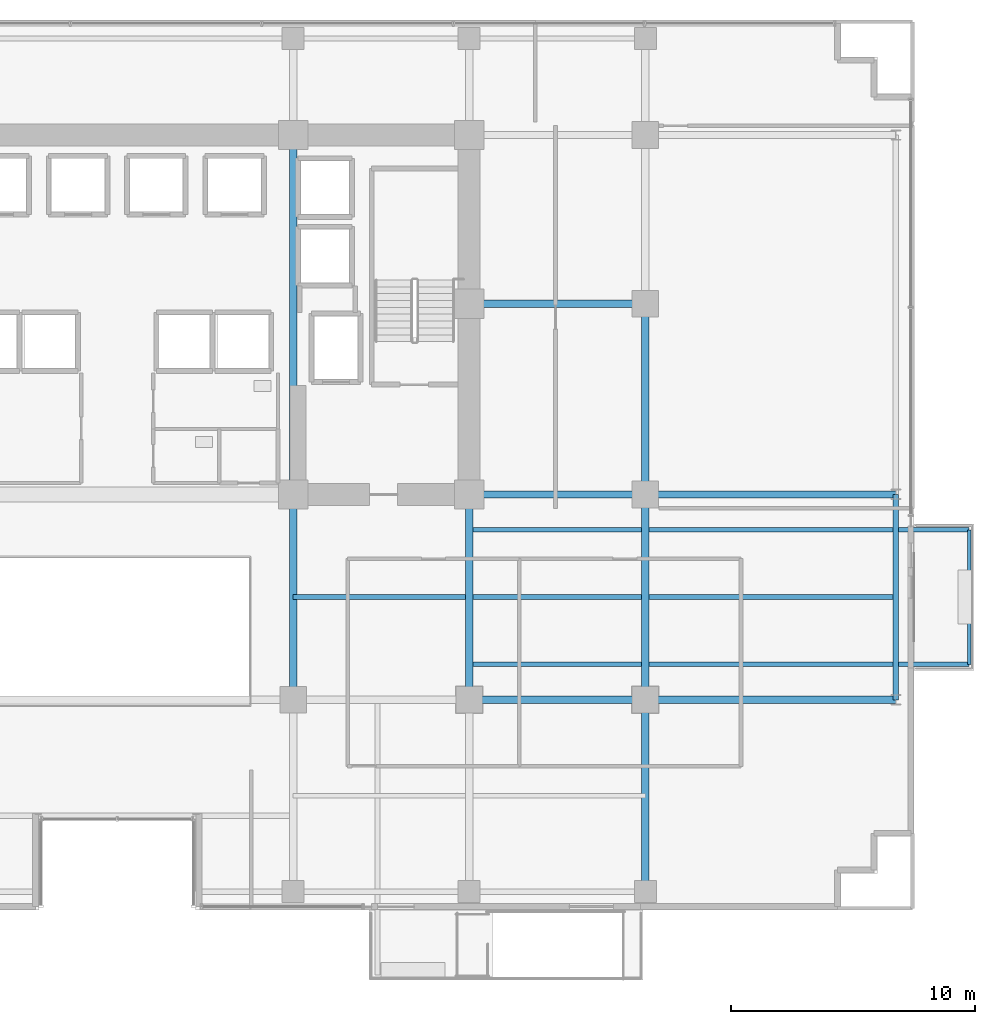
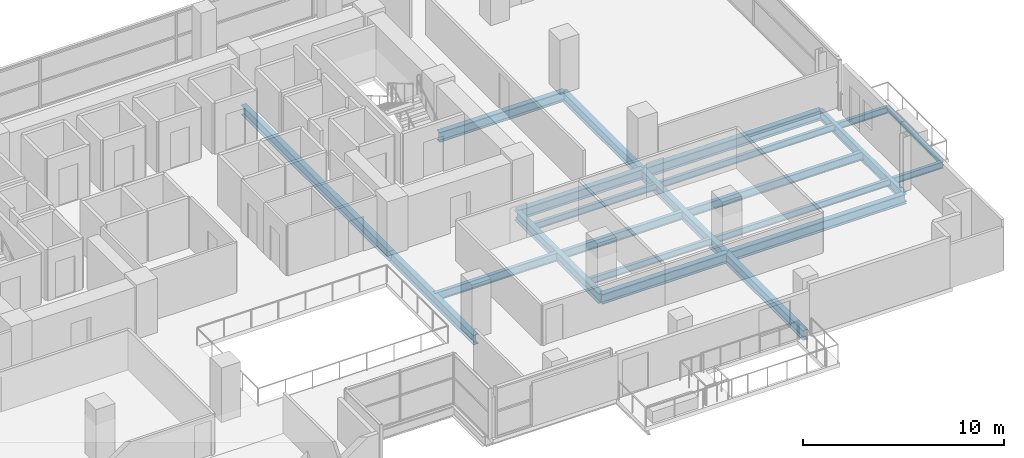
# One storey, part 12 of 28: 18 beams.
"""IFC4 building model written with IfcOpenShell, lengths in metres."""

import ifcopenshell
import ifcopenshell.guid

model = None  # the IFC model being written
_history = None  # IfcOwnerHistory: only IFC2X3 demands one
_inside = {}  # id of a spatial element -> (the spatial element, [elements in it])
_under = {}  # id of a project, library or spatial element -> (it, [spatial elements below it])
_declared = {}  # id of a project -> (the project, [libraries it declares])
_typed = {}  # id of a type object -> (the type object, [elements of that type])
_made_of = {}  # id of a material, layer set ... -> (it, [elements and type objects made of it])


def new_model(schema):
    """Start an empty IFC model of exactly this schema.

    Asked for "IFC4X3", IfcOpenShell would pick the latest addendum, in which some entities
    have other attributes; the version numbers below select the first issue.
    IFC2X3 requires an IfcOwnerHistory on every rooted entity: one is made here for all.
    """
    global model, _history
    if schema == "IFC4X3":
        model = ifcopenshell.file(schema_version=(4, 3, 0, 0))
    else:
        model = ifcopenshell.file(schema=schema)
    _inside.clear()
    _under.clear()
    _declared.clear()
    _typed.clear()
    _made_of.clear()
    _history = None
    if model.schema == "IFC2X3":
        org = make("IfcOrganization", Name="unknown")
        user = make(
            "IfcPersonAndOrganization",
            ThePerson=make("IfcPerson", FamilyName="unknown"),
            TheOrganization=org,
        )
        app = make(
            "IfcApplication",
            ApplicationDeveloper=org,
            Version="unknown",
            ApplicationFullName="unknown",
            ApplicationIdentifier="unknown",
        )
        _history = make(
            "IfcOwnerHistory",
            OwningUser=user,
            OwningApplication=app,
            ChangeAction="ADDED",
            CreationDate=0,
        )
    return model


def make(cls, **values):
    """One entity of the class cls with the attributes given. An attribute that is None is left unset."""
    return model.create_entity(
        cls, **{name: value for name, value in values.items() if value is not None}
    )


def rooted(cls, **values):
    """An entity with a GlobalId (a new one), such as an element, a storey or a relation."""
    return make(cls, GlobalId=ifcopenshell.guid.new(), OwnerHistory=_history, **values)


def si_unit(unit_type, name, prefix=None):
    """IfcSIUnit, for example si_unit("LENGTHUNIT", "METRE", prefix="MILLI")."""
    return make("IfcSIUnit", UnitType=unit_type, Prefix=prefix, Name=name)


def assignment(units):
    """IfcUnitAssignment: the units of a project."""
    return None if units is None else make("IfcUnitAssignment", Units=units)


def point(xyz):
    """IfcCartesianPoint."""
    return None if xyz is None else make("IfcCartesianPoint", Coordinates=xyz)


def direction(xyz):
    """IfcDirection."""
    return None if xyz is None else make("IfcDirection", DirectionRatios=xyz)


def frame(location, z_axis=None, x_axis=None):
    """IfcAxis2Placement3D, a coordinate frame: its origin and axes. An axis left out is left unset."""
    return make(
        "IfcAxis2Placement3D",
        Location=point(location),
        Axis=direction(z_axis),
        RefDirection=direction(x_axis),
    )


def frame_2d(location, x_axis=None):
    """IfcAxis2Placement2D, a coordinate frame in the plane: its origin and x axis."""
    return make(
        "IfcAxis2Placement2D", Location=point(location), RefDirection=direction(x_axis)
    )


def origin():
    """The frame at (0, 0, 0) with its axes left unset."""
    return frame((0.0, 0.0, 0.0))


def origin_2d():
    """The frame at (0, 0) in the plane with its x axis left unset."""
    return frame_2d((0.0, 0.0))


def place(relative_to, where):
    """IfcLocalPlacement: puts the frame where relative to a parent placement (None: the world)."""
    return make(
        "IfcLocalPlacement", PlacementRelTo=relative_to, RelativePlacement=where
    )


def context(
    kind, dimensions, precision=None, world=None, true_north=None, identifier=None
):
    """IfcGeometricRepresentationContext, for example the 3D "Model" context."""
    return make(
        "IfcGeometricRepresentationContext",
        ContextIdentifier=identifier,
        ContextType=kind,
        CoordinateSpaceDimension=dimensions,
        Precision=precision,
        WorldCoordinateSystem=world,
        TrueNorth=true_north,
    )


def subcontext(parent, identifier, kind, view, scale=None):
    """IfcGeometricRepresentationSubContext, for example "Body" below "Model"."""
    return make(
        "IfcGeometricRepresentationSubContext",
        ContextIdentifier=identifier,
        ContextType=kind,
        ParentContext=parent,
        TargetScale=scale,
        TargetView=view,
    )


def project(units=None, contexts=None):
    """IfcProject with its units and contexts."""
    return rooted(
        "IfcProject",
        Name="project",
        RepresentationContexts=contexts,
        UnitsInContext=assignment(units),
    )


def spatial(cls, under=None, at=None, **own):
    """A site, building, storey or space (cls), placed at a placement, below another one or the project."""
    s = rooted(cls, ObjectPlacement=at, **own)
    if under is not None:
        _under.setdefault(under.id(), (under, []))[1].append(s)
    return s


def profile(cls, at=None, kind="AREA", **sizes):
    """A parametric profile (cls). Its sizes go by their IFC names, for example OverallWidth=200.0."""
    return make(cls, ProfileType=kind, Position=at, **sizes)


def i_section(**sizes):
    """IfcIShapeProfileDef."""
    return profile("IfcIShapeProfileDef", **sizes)


def extrude(swept, where, along, depth):
    """IfcExtrudedAreaSolid: the profile swept, set in the frame where, extruded along a direction by depth."""
    return make(
        "IfcExtrudedAreaSolid",
        SweptArea=swept,
        Position=where,
        ExtrudedDirection=direction(along),
        Depth=depth,
    )


def shape(context_of_items, identifier, shape_type, items):
    """IfcShapeRepresentation: the items that make up one representation, for example the "Body"."""
    return make(
        "IfcShapeRepresentation",
        ContextOfItems=context_of_items,
        RepresentationIdentifier=identifier,
        RepresentationType=shape_type,
        Items=items,
    )


def material(Name=None, Category=None):
    """IfcMaterial."""
    return make("IfcMaterial", Name=Name, Category=Category)


def material_profile(
    of_material, cross_section, Name=None, Category=None, Priority=None
):
    """IfcMaterialProfile: a cross section and its material."""
    return make(
        "IfcMaterialProfile",
        Name=Name,
        Material=of_material,
        Profile=cross_section,
        Priority=Priority,
        Category=Category,
    )


def profile_set(profiles, Name=None, composite=None):
    """IfcMaterialProfileSet."""
    return make(
        "IfcMaterialProfileSet",
        Name=Name,
        MaterialProfiles=profiles,
        CompositeProfile=composite,
    )


def made_of(thing, what):
    """Note that an element or type object is made of a material, layer set ...; save() writes the relation."""
    if what is not None:
        _made_of.setdefault(what.id(), (what, []))[1].append(thing)
    return thing


def type_object(cls, material=None, **own):
    """A type object (cls), such as IfcWallType, which elements share."""
    return made_of(rooted(cls, **own), material)


def element(
    cls,
    number,
    at=None,
    inside=None,
    cuts=None,
    type_object=None,
    material=None,
    context=None,
    identifier="Body",
    shape_type=None,
    held_by="IfcProductDefinitionShape",
    body=None,
    shapes=None,
    **own,
):
    """One element of the class cls, such as IfcWall. Its Tag is "e" and its number.

    at: its placement. inside: the storey or other place that contains it. cuts: it is an
    opening in that element (IfcRelVoidsElement). A single representation is given by context,
    identifier, shape_type and body (its items); several are given by shapes. held_by: the class
    of the entity that holds the representations. save() writes the other relations.
    """
    e = rooted(cls, Tag="e%d" % number, ObjectPlacement=at, **own)
    if body is not None:
        shapes = [shape(context, identifier, shape_type, body)]
    if shapes is not None:
        e.Representation = make(held_by, Representations=shapes)
    if inside is not None:
        _inside.setdefault(inside.id(), (inside, []))[1].append(e)
    if cuts is not None:
        rooted(
            "IfcRelVoidsElement", RelatingBuildingElement=cuts, RelatedOpeningElement=e
        )
    if type_object is not None:
        _typed.setdefault(type_object.id(), (type_object, []))[1].append(e)
    return made_of(e, material)


def aggregate(whole, parts):
    """IfcRelAggregates: a whole, such as a stair, and the parts it consists of."""
    return rooted("IfcRelAggregates", RelatingObject=whole, RelatedObjects=parts)


def save(model, path):
    """Write the relations noted so far, then the file.

    IfcRelAggregates (storeys below a building ...), IfcRelContainedInSpatialStructure (elements
    in a storey), IfcRelDefinesByType, IfcRelAssociatesMaterial and IfcRelDeclares: one each for
    every whole, place, type object, material and project.
    """
    for whole, parts in _under.values():
        aggregate(whole, parts)
    for where, things in _inside.values():
        rooted(
            "IfcRelContainedInSpatialStructure",
            RelatedElements=things,
            RelatingStructure=where,
        )
    for kind, things in _typed.values():
        rooted("IfcRelDefinesByType", RelatedObjects=things, RelatingType=kind)
    for what, things in _made_of.values():
        rooted("IfcRelAssociatesMaterial", RelatedObjects=things, RelatingMaterial=what)
    for by, libraries in _declared.values():
        rooted("IfcRelDeclares", RelatingContext=by, RelatedDefinitions=libraries)
    model.write(path)


model = new_model("IFC4")

# Units and contexts
model_context = context("Model", 3, precision=1e-05, world=origin(), true_north=direction((0.0, 1.0)))
body_context = subcontext(model_context, "Body", "Model", "MODEL_VIEW")
ifc_project = project(units=[si_unit("LENGTHUNIT", "METRE"), si_unit("AREAUNIT", "SQUARE_METRE"), si_unit("VOLUMEUNIT", "CUBIC_METRE"), si_unit("PLANEANGLEUNIT", "RADIAN"), si_unit("MASSUNIT", "GRAM", prefix="KILO")], contexts=[model_context])

# Site, building, storey
site_placement = place(None, origin())
site = spatial("IfcSite", under=ifc_project, at=site_placement, CompositionType="ELEMENT")
building_placement = place(site_placement, origin())
building = spatial("IfcBuilding", under=site, at=building_placement, Name="Zarnakvel Exchange Tower", CompositionType="ELEMENT")
storey_placement = place(building_placement, frame((0.0, 0.0, 57.10009765625)))
storey = spatial("IfcBuildingStorey", under=building, at=storey_placement, Name="L15", CompositionType="ELEMENT", Elevation=57.10009765625)

# Beams
ifc_material = material(Name="Steel S355", Category="steel")
ifc_material_profile_1 = material_profile(ifc_material, i_section(OverallWidth=0.199951171875, OverallDepth=0.5, WebThickness=0.01025390625, FlangeThickness=0.01611328125, FilletRadius=0.02099609375, at=origin_2d()))
ifc_profile_set_1 = profile_set([ifc_material_profile_1], Name="Steel S355")
beam_type_1 = type_object("IfcBeamType", Name="B-04", PredefinedType="JOIST", material=ifc_profile_set_1)
beam_1_placement = place(storey_placement, frame((7.199951171875, -5.39990234375, -0.47509765625), z_axis=(1.0, 0.0, 0.0), x_axis=(0.0, 1.0, 0.0)))
element("IfcBeam", 1, at=beam_1_placement, inside=storey, type_object=beam_type_1, Name="L15 Composite Floor Secondary Joist", PredefinedType="JOIST", context=body_context, shape_type="SweptSolid", body=[
    extrude(i_section(OverallWidth=0.199951171875, OverallDepth=0.5, WebThickness=0.01025390625, FlangeThickness=0.01611328125, FilletRadius=0.02099609375, at=origin_2d()), origin(), (0.0, 0.0, 1.0), 7.050048828125),
])
beam_2_placement = place(storey_placement, frame((14.550048828125, -5.39990234375, -0.47509765625), z_axis=(1.0, 0.0, 0.0), x_axis=(0.0, 1.0, 0.0)))
element("IfcBeam", 2, at=beam_2_placement, inside=storey, type_object=beam_type_1, Name="L15 Composite Floor Secondary Joist", PredefinedType="JOIST", context=body_context, shape_type="SweptSolid", body=[
    extrude(i_section(OverallWidth=0.199951171875, OverallDepth=0.5, WebThickness=0.01025390625, FlangeThickness=0.01611328125, FilletRadius=0.02099609375, at=origin_2d()), origin(), (0.0, 0.0, 1.0), 6.89990234375),
])
beam_3_placement = place(storey_placement, frame((21.75, -5.39990234375, -0.47509765625), z_axis=(1.0, 0.0, 0.0), x_axis=(0.0, 1.0, 0.0)))
element("IfcBeam", 3, at=beam_3_placement, inside=storey, type_object=beam_type_1, Name="L15 Composite Floor Secondary Joist", PredefinedType="JOIST", context=body_context, shape_type="SweptSolid", body=[
    extrude(i_section(OverallWidth=0.199951171875, OverallDepth=0.5, WebThickness=0.01025390625, FlangeThickness=0.01611328125, FilletRadius=0.02099609375, at=origin_2d()), origin(), (0.0, 0.0, 1.0), 10.10009765625),
])
ifc_material_profile_2 = material_profile(ifc_material, i_section(OverallWidth=0.179931640625, OverallDepth=0.39990234375, WebThickness=0.008544921875, FlangeThickness=0.013427734375, FilletRadius=0.02099609375, at=origin_2d()))
ifc_profile_set_2 = profile_set([ifc_material_profile_2], Name="Steel S355")
beam_type_2 = type_object("IfcBeamType", Name="B-06", PredefinedType="JOIST", material=ifc_profile_set_2)
for number, where, z_axis, x_axis, name in (
    (4, (14.39990234375, -8.14990234375, -0.425048828125), (1.0, 0.0, 0.0), (0.0, 1.0, 0.0), "L15 Continuous East Loggia Beam S"),
    (5, (14.39990234375, -2.64990234375, -0.425048828125), (1.0, 0.0, 0.0), (0.0, 1.0, 0.0), "L15 Continuous East Loggia Beam N"),
):
    element("IfcBeam", number, at=place(storey_placement, frame(where, z_axis=z_axis, x_axis=x_axis)), inside=storey, type_object=beam_type_2, Name=name, PredefinedType="JOIST", context=body_context, shape_type="SweptSolid", body=[
        extrude(i_section(OverallWidth=0.179931640625, OverallDepth=0.39990234375, WebThickness=0.008544921875, FlangeThickness=0.013427734375, FilletRadius=0.02099609375, at=origin_2d()), origin(), (0.0, 0.0, 1.0), 20.4501953125),
    ])
ifc_material_profile_3 = material_profile(ifc_material, i_section(OverallWidth=0.14990234375, OverallDepth=0.300048828125, WebThickness=0.007080078125, FlangeThickness=0.0107421875, FilletRadius=0.014892578125, at=origin_2d()))
ifc_profile_set_3 = profile_set([ifc_material_profile_3], Name="Steel S355")
beam_type_3 = type_object("IfcBeamType", Name="B-08", PredefinedType="JOIST", material=ifc_profile_set_3)
beam_4_placement = place(storey_placement, frame((34.85009765625, -8.14990234375, -0.375), z_axis=(0.0, 1.0, 0.0), x_axis=(-1.0, 0.0, 0.0)))
element("IfcBeam", 6, at=beam_4_placement, inside=storey, type_object=beam_type_3, Name="L15 East Loggia Edge Beam", PredefinedType="JOIST", context=body_context, shape_type="SweptSolid", body=[
    extrude(i_section(OverallWidth=0.14990234375, OverallDepth=0.300048828125, WebThickness=0.007080078125, FlangeThickness=0.0107421875, FilletRadius=0.014892578125, at=origin_2d()), origin(), (0.0, 0.0, 1.0), 5.5),
])
ifc_material_profile_4 = material_profile(ifc_material, i_section(OverallWidth=0.300048828125, OverallDepth=0.60009765625, WebThickness=0.015380859375, FlangeThickness=0.030029296875, FilletRadius=0.027099609375, at=origin_2d()))
ifc_profile_set_4 = profile_set([ifc_material_profile_4], Name="Steel S355")
beam_type_4 = type_object("IfcBeamType", Name="G-04", PredefinedType="BEAM", material=ifc_profile_set_4)
beam_5_placement = place(storey_placement, frame((14.39990234375, -9.60009765625, -0.525146484375), z_axis=(1.0, 0.0, 0.0), x_axis=(0.0, 1.0, 0.0)))
element("IfcBeam", 7, at=beam_5_placement, inside=storey, type_object=beam_type_4, Name="L15 Tower E-W Frame Beam", PredefinedType="BEAM", context=body_context, shape_type="SweptSolid", body=[
    extrude(i_section(OverallWidth=0.300048828125, OverallDepth=0.60009765625, WebThickness=0.015380859375, FlangeThickness=0.030029296875, FilletRadius=0.027099609375, at=origin_2d()), origin(), (0.0, 0.0, 1.0), 7.2001953125),
])
beam_6_placement = place(storey_placement, frame((21.60009765625, -9.60009765625, -0.525146484375), z_axis=(1.0, 0.0, 0.0), x_axis=(0.0, 1.0, 0.0)))
element("IfcBeam", 8, at=beam_6_placement, inside=storey, type_object=beam_type_4, Name="L15 Tower E-W Frame Beam", PredefinedType="BEAM", context=body_context, shape_type="SweptSolid", body=[
    extrude(i_section(OverallWidth=0.300048828125, OverallDepth=0.60009765625, WebThickness=0.015380859375, FlangeThickness=0.030029296875, FilletRadius=0.027099609375, at=origin_2d()), origin(), (0.0, 0.0, 1.0), 10.25),
])
beam_7_placement = place(storey_placement, frame((14.39990234375, -1.199951171875, -0.525146484375), z_axis=(1.0, 0.0, 0.0), x_axis=(0.0, 1.0, 0.0)))
element("IfcBeam", 9, at=beam_7_placement, inside=storey, type_object=beam_type_4, Name="L15 Tower E-W Frame Beam", PredefinedType="BEAM", context=body_context, shape_type="SweptSolid", body=[
    extrude(i_section(OverallWidth=0.300048828125, OverallDepth=0.60009765625, WebThickness=0.015380859375, FlangeThickness=0.030029296875, FilletRadius=0.027099609375, at=origin_2d()), origin(), (0.0, 0.0, 1.0), 7.2001953125),
])
beam_8_placement = place(storey_placement, frame((21.60009765625, -1.199951171875, -0.525146484375), z_axis=(1.0, 0.0, 0.0), x_axis=(0.0, 1.0, 0.0)))
element("IfcBeam", 10, at=beam_8_placement, inside=storey, type_object=beam_type_4, Name="L15 Tower E-W Frame Beam", PredefinedType="BEAM", context=body_context, shape_type="SweptSolid", body=[
    extrude(i_section(OverallWidth=0.300048828125, OverallDepth=0.60009765625, WebThickness=0.015380859375, FlangeThickness=0.030029296875, FilletRadius=0.027099609375, at=origin_2d()), origin(), (0.0, 0.0, 1.0), 10.25),
])
beam_9_placement = place(storey_placement, frame((14.39990234375, 6.60009765625, -0.525146484375), z_axis=(1.0, 0.0, 0.0), x_axis=(0.0, 1.0, 0.0)))
element("IfcBeam", 11, at=beam_9_placement, inside=storey, type_object=beam_type_4, Name="L15 Tower E-W Frame Beam", PredefinedType="BEAM", context=body_context, shape_type="SweptSolid", body=[
    extrude(i_section(OverallWidth=0.300048828125, OverallDepth=0.60009765625, WebThickness=0.015380859375, FlangeThickness=0.030029296875, FilletRadius=0.027099609375, at=origin_2d()), origin(), (0.0, 0.0, 1.0), 7.2001953125),
])
beam_10_placement = place(storey_placement, frame((7.199951171875, -9.60009765625, -0.525146484375), z_axis=(0.0, 1.0, 0.0), x_axis=(-1.0, 0.0, 0.0)))
element("IfcBeam", 12, at=beam_10_placement, inside=storey, type_object=beam_type_4, Name="L15 Tower N-S Frame Beam", PredefinedType="BEAM", context=body_context, shape_type="SweptSolid", body=[
    extrude(i_section(OverallWidth=0.300048828125, OverallDepth=0.60009765625, WebThickness=0.015380859375, FlangeThickness=0.030029296875, FilletRadius=0.027099609375, at=origin_2d()), origin(), (0.0, 0.0, 1.0), 8.400146484375),
])
beam_11_placement = place(storey_placement, frame((7.199951171875, -1.199951171875, -0.525146484375), z_axis=(0.0, 1.0, 0.0), x_axis=(-1.0, 0.0, 0.0)))
element("IfcBeam", 13, at=beam_11_placement, inside=storey, type_object=beam_type_4, Name="L15 Tower N-S Frame Beam", PredefinedType="BEAM", context=body_context, shape_type="SweptSolid", body=[
    extrude(i_section(OverallWidth=0.300048828125, OverallDepth=0.60009765625, WebThickness=0.015380859375, FlangeThickness=0.030029296875, FilletRadius=0.027099609375, at=origin_2d()), origin(), (0.0, 0.0, 1.0), 14.699951171875),
])
beam_12_placement = place(storey_placement, frame((14.39990234375, -9.60009765625, -0.525146484375), z_axis=(0.0, 1.0, 0.0), x_axis=(-1.0, 0.0, 0.0)))
element("IfcBeam", 14, at=beam_12_placement, inside=storey, type_object=beam_type_4, Name="L15 Tower N-S Frame Beam", PredefinedType="BEAM", context=body_context, shape_type="SweptSolid", body=[
    extrude(i_section(OverallWidth=0.300048828125, OverallDepth=0.60009765625, WebThickness=0.015380859375, FlangeThickness=0.030029296875, FilletRadius=0.027099609375, at=origin_2d()), origin(), (0.0, 0.0, 1.0), 8.400146484375),
])
beam_13_placement = place(storey_placement, frame((21.60009765625, -17.449951171875, -0.525146484375), z_axis=(0.0, 1.0, 0.0), x_axis=(-1.0, 0.0, 0.0)))
element("IfcBeam", 15, at=beam_13_placement, inside=storey, type_object=beam_type_4, Name="L15 Tower N-S Frame Beam", PredefinedType="BEAM", context=body_context, shape_type="SweptSolid", body=[
    extrude(i_section(OverallWidth=0.300048828125, OverallDepth=0.60009765625, WebThickness=0.015380859375, FlangeThickness=0.030029296875, FilletRadius=0.027099609375, at=origin_2d()), origin(), (0.0, 0.0, 1.0), 7.849853515625),
])
beam_14_placement = place(storey_placement, frame((21.60009765625, -9.60009765625, -0.525146484375), z_axis=(0.0, 1.0, 0.0), x_axis=(-1.0, 0.0, 0.0)))
element("IfcBeam", 16, at=beam_14_placement, inside=storey, type_object=beam_type_4, Name="L15 Tower N-S Frame Beam", PredefinedType="BEAM", context=body_context, shape_type="SweptSolid", body=[
    extrude(i_section(OverallWidth=0.300048828125, OverallDepth=0.60009765625, WebThickness=0.015380859375, FlangeThickness=0.030029296875, FilletRadius=0.027099609375, at=origin_2d()), origin(), (0.0, 0.0, 1.0), 8.400146484375),
])
beam_15_placement = place(storey_placement, frame((21.60009765625, -1.199951171875, -0.525146484375), z_axis=(0.0, 1.0, 0.0), x_axis=(-1.0, 0.0, 0.0)))
element("IfcBeam", 17, at=beam_15_placement, inside=storey, type_object=beam_type_4, Name="L15 Tower N-S Frame Beam", PredefinedType="BEAM", context=body_context, shape_type="SweptSolid", body=[
    extrude(i_section(OverallWidth=0.300048828125, OverallDepth=0.60009765625, WebThickness=0.015380859375, FlangeThickness=0.030029296875, FilletRadius=0.027099609375, at=origin_2d()), origin(), (0.0, 0.0, 1.0), 7.800048828125),
])
ifc_material_profile_5 = material_profile(ifc_material, i_section(OverallWidth=0.219970703125, OverallDepth=0.60009765625, WebThickness=0.011962890625, FlangeThickness=0.01904296875, FilletRadius=0.02392578125, at=origin_2d()))
ifc_profile_set_5 = profile_set([ifc_material_profile_5], Name="Steel S355")
beam_type_5 = type_object("IfcBeamType", Name="SP-01", PredefinedType="SPANDREL", material=ifc_profile_set_5)
beam_16_placement = place(storey_placement, frame((31.85009765625, -9.60009765625, -0.525146484375), z_axis=(0.0, 1.0, 0.0), x_axis=(-1.0, 0.0, 0.0)))
element("IfcBeam", 18, at=beam_16_placement, inside=storey, type_object=beam_type_5, Name="L15 Tower N-S Frame Beam", PredefinedType="SPANDREL", context=body_context, shape_type="SweptSolid", body=[
    extrude(i_section(OverallWidth=0.219970703125, OverallDepth=0.60009765625, WebThickness=0.011962890625, FlangeThickness=0.01904296875, FilletRadius=0.02392578125, at=origin_2d()), origin(), (0.0, 0.0, 1.0), 8.400146484375),
])

save(model, "model.ifc")
